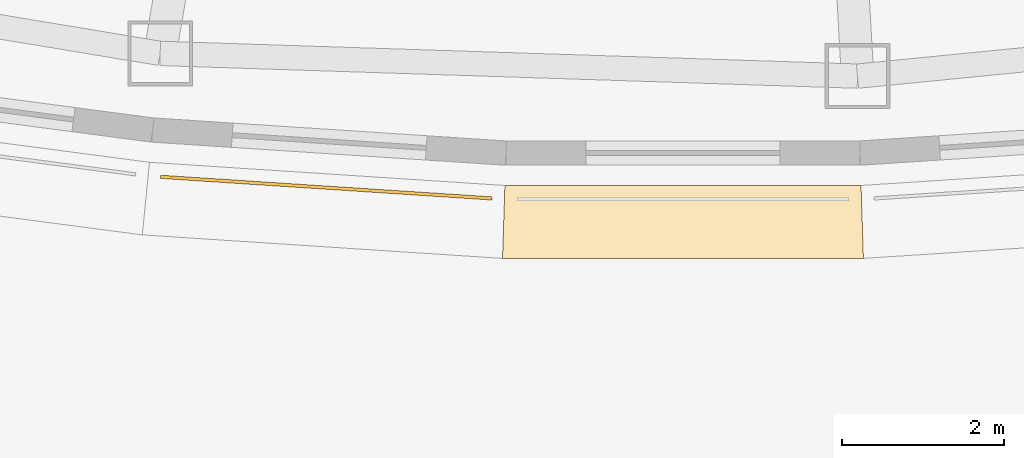
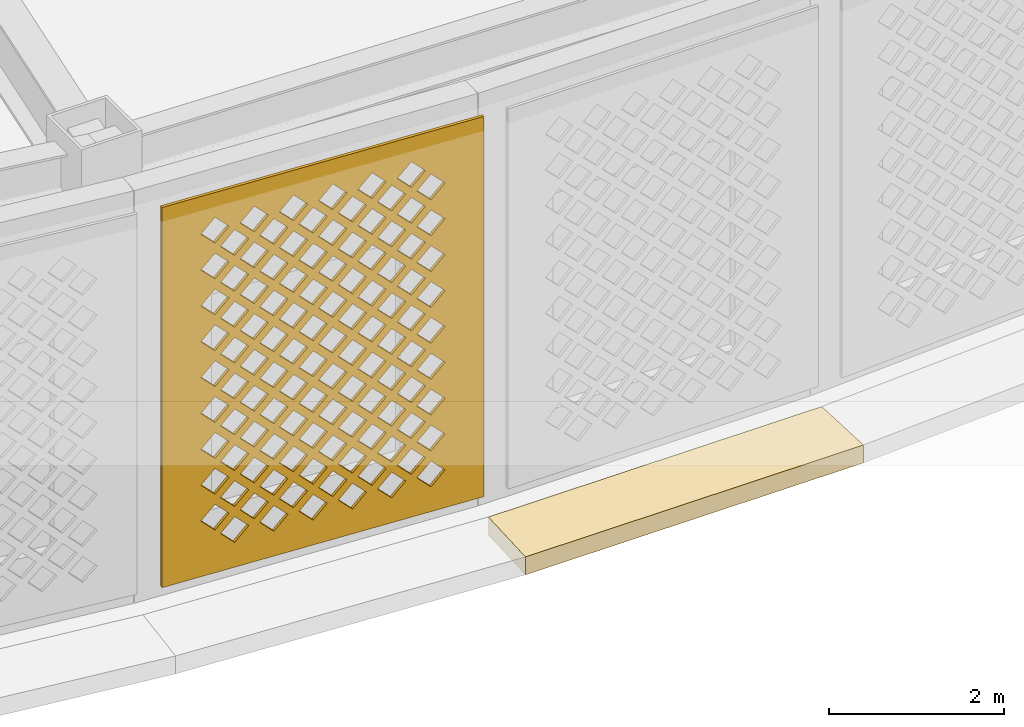
# One storey, part 56 of 74: 2 coverings.
"""IFC4 building model written with IfcOpenShell, lengths in metres."""

import ifcopenshell
import ifcopenshell.guid

model = None  # the IFC model being written
_history = None  # IfcOwnerHistory: only IFC2X3 demands one
_inside = {}  # id of a spatial element -> (the spatial element, [elements in it])
_under = {}  # id of a project, library or spatial element -> (it, [spatial elements below it])
_declared = {}  # id of a project -> (the project, [libraries it declares])
_typed = {}  # id of a type object -> (the type object, [elements of that type])
_made_of = {}  # id of a material, layer set ... -> (it, [elements and type objects made of it])


def new_model(schema):
    """Start an empty IFC model of exactly this schema.

    Asked for "IFC4X3", IfcOpenShell would pick the latest addendum, in which some entities
    have other attributes; the version numbers below select the first issue.
    IFC2X3 requires an IfcOwnerHistory on every rooted entity: one is made here for all.
    """
    global model, _history
    if schema == "IFC4X3":
        model = ifcopenshell.file(schema_version=(4, 3, 0, 0))
    else:
        model = ifcopenshell.file(schema=schema)
    _inside.clear()
    _under.clear()
    _declared.clear()
    _typed.clear()
    _made_of.clear()
    _history = None
    if model.schema == "IFC2X3":
        org = make("IfcOrganization", Name="unknown")
        user = make(
            "IfcPersonAndOrganization",
            ThePerson=make("IfcPerson", FamilyName="unknown"),
            TheOrganization=org,
        )
        app = make(
            "IfcApplication",
            ApplicationDeveloper=org,
            Version="unknown",
            ApplicationFullName="unknown",
            ApplicationIdentifier="unknown",
        )
        _history = make(
            "IfcOwnerHistory",
            OwningUser=user,
            OwningApplication=app,
            ChangeAction="ADDED",
            CreationDate=0,
        )
    return model


def make(cls, **values):
    """One entity of the class cls with the attributes given. An attribute that is None is left unset."""
    return model.create_entity(
        cls, **{name: value for name, value in values.items() if value is not None}
    )


def rooted(cls, **values):
    """An entity with a GlobalId (a new one), such as an element, a storey or a relation."""
    return make(cls, GlobalId=ifcopenshell.guid.new(), OwnerHistory=_history, **values)


def si_unit(unit_type, name, prefix=None):
    """IfcSIUnit, for example si_unit("LENGTHUNIT", "METRE", prefix="MILLI")."""
    return make("IfcSIUnit", UnitType=unit_type, Prefix=prefix, Name=name)


def assignment(units):
    """IfcUnitAssignment: the units of a project."""
    return None if units is None else make("IfcUnitAssignment", Units=units)


def point(xyz):
    """IfcCartesianPoint."""
    return None if xyz is None else make("IfcCartesianPoint", Coordinates=xyz)


def direction(xyz):
    """IfcDirection."""
    return None if xyz is None else make("IfcDirection", DirectionRatios=xyz)


def frame(location, z_axis=None, x_axis=None):
    """IfcAxis2Placement3D, a coordinate frame: its origin and axes. An axis left out is left unset."""
    return make(
        "IfcAxis2Placement3D",
        Location=point(location),
        Axis=direction(z_axis),
        RefDirection=direction(x_axis),
    )


def origin():
    """The frame at (0, 0, 0) with its axes left unset."""
    return frame((0.0, 0.0, 0.0))


def place(relative_to, where):
    """IfcLocalPlacement: puts the frame where relative to a parent placement (None: the world)."""
    return make(
        "IfcLocalPlacement", PlacementRelTo=relative_to, RelativePlacement=where
    )


def context(
    kind, dimensions, precision=None, world=None, true_north=None, identifier=None
):
    """IfcGeometricRepresentationContext, for example the 3D "Model" context."""
    return make(
        "IfcGeometricRepresentationContext",
        ContextIdentifier=identifier,
        ContextType=kind,
        CoordinateSpaceDimension=dimensions,
        Precision=precision,
        WorldCoordinateSystem=world,
        TrueNorth=true_north,
    )


def subcontext(parent, identifier, kind, view, scale=None):
    """IfcGeometricRepresentationSubContext, for example "Body" below "Model"."""
    return make(
        "IfcGeometricRepresentationSubContext",
        ContextIdentifier=identifier,
        ContextType=kind,
        ParentContext=parent,
        TargetScale=scale,
        TargetView=view,
    )


def project(units=None, contexts=None):
    """IfcProject with its units and contexts."""
    return rooted(
        "IfcProject",
        Name="project",
        RepresentationContexts=contexts,
        UnitsInContext=assignment(units),
    )


def spatial(cls, under=None, at=None, **own):
    """A site, building, storey or space (cls), placed at a placement, below another one or the project."""
    s = rooted(cls, ObjectPlacement=at, **own)
    if under is not None:
        _under.setdefault(under.id(), (under, []))[1].append(s)
    return s


def polyline(points):
    """IfcPolyline through the points."""
    return make("IfcPolyline", Points=[point(p) for p in points])


def outline(outer, holes=None, kind="AREA"):
    """IfcArbitraryClosedProfileDef: a profile drawn as a closed curve; with holes, ...WithVoids."""
    if holes is None:
        return make("IfcArbitraryClosedProfileDef", ProfileType=kind, OuterCurve=outer)
    return make(
        "IfcArbitraryProfileDefWithVoids",
        ProfileType=kind,
        OuterCurve=outer,
        InnerCurves=holes,
    )


def extrude(swept, where, along, depth):
    """IfcExtrudedAreaSolid: the profile swept, set in the frame where, extruded along a direction by depth."""
    return make(
        "IfcExtrudedAreaSolid",
        SweptArea=swept,
        Position=where,
        ExtrudedDirection=direction(along),
        Depth=depth,
    )


def shape(context_of_items, identifier, shape_type, items):
    """IfcShapeRepresentation: the items that make up one representation, for example the "Body"."""
    return make(
        "IfcShapeRepresentation",
        ContextOfItems=context_of_items,
        RepresentationIdentifier=identifier,
        RepresentationType=shape_type,
        Items=items,
    )


def material(Name=None, Category=None):
    """IfcMaterial."""
    return make("IfcMaterial", Name=Name, Category=Category)


def layer(
    of_material, thickness, ventilated=None, Name=None, Category=None, Priority=None
):
    """IfcMaterialLayer: one layer of a wall or slab, of a material (None: an air gap)."""
    return make(
        "IfcMaterialLayer",
        Material=of_material,
        LayerThickness=thickness,
        IsVentilated=ventilated,
        Name=Name,
        Category=Category,
        Priority=Priority,
    )


def layer_set(layers, Name=None):
    """IfcMaterialLayerSet."""
    return make("IfcMaterialLayerSet", MaterialLayers=layers, LayerSetName=Name)


def made_of(thing, what):
    """Note that an element or type object is made of a material, layer set ...; save() writes the relation."""
    if what is not None:
        _made_of.setdefault(what.id(), (what, []))[1].append(thing)
    return thing


def type_object(cls, material=None, **own):
    """A type object (cls), such as IfcWallType, which elements share."""
    return made_of(rooted(cls, **own), material)


def element(
    cls,
    number,
    at=None,
    inside=None,
    cuts=None,
    type_object=None,
    material=None,
    context=None,
    identifier="Body",
    shape_type=None,
    held_by="IfcProductDefinitionShape",
    body=None,
    shapes=None,
    **own,
):
    """One element of the class cls, such as IfcWall. Its Tag is "e" and its number.

    at: its placement. inside: the storey or other place that contains it. cuts: it is an
    opening in that element (IfcRelVoidsElement). A single representation is given by context,
    identifier, shape_type and body (its items); several are given by shapes. held_by: the class
    of the entity that holds the representations. save() writes the other relations.
    """
    e = rooted(cls, Tag="e%d" % number, ObjectPlacement=at, **own)
    if body is not None:
        shapes = [shape(context, identifier, shape_type, body)]
    if shapes is not None:
        e.Representation = make(held_by, Representations=shapes)
    if inside is not None:
        _inside.setdefault(inside.id(), (inside, []))[1].append(e)
    if cuts is not None:
        rooted(
            "IfcRelVoidsElement", RelatingBuildingElement=cuts, RelatedOpeningElement=e
        )
    if type_object is not None:
        _typed.setdefault(type_object.id(), (type_object, []))[1].append(e)
    return made_of(e, material)


def aggregate(whole, parts):
    """IfcRelAggregates: a whole, such as a stair, and the parts it consists of."""
    return rooted("IfcRelAggregates", RelatingObject=whole, RelatedObjects=parts)


def save(model, path):
    """Write the relations noted so far, then the file.

    IfcRelAggregates (storeys below a building ...), IfcRelContainedInSpatialStructure (elements
    in a storey), IfcRelDefinesByType, IfcRelAssociatesMaterial and IfcRelDeclares: one each for
    every whole, place, type object, material and project.
    """
    for whole, parts in _under.values():
        aggregate(whole, parts)
    for where, things in _inside.values():
        rooted(
            "IfcRelContainedInSpatialStructure",
            RelatedElements=things,
            RelatingStructure=where,
        )
    for kind, things in _typed.values():
        rooted("IfcRelDefinesByType", RelatedObjects=things, RelatingType=kind)
    for what, things in _made_of.values():
        rooted("IfcRelAssociatesMaterial", RelatedObjects=things, RelatingMaterial=what)
    for by, libraries in _declared.values():
        rooted("IfcRelDeclares", RelatingContext=by, RelatedDefinitions=libraries)
    model.write(path)


model = new_model("IFC4")

# Units and contexts
model_context = context("Model", 3, precision=1e-05, world=origin(), true_north=direction((0.0, 1.0)))
body_context = subcontext(model_context, "Body", "Model", "MODEL_VIEW")
ifc_project = project(units=[si_unit("LENGTHUNIT", "METRE"), si_unit("AREAUNIT", "SQUARE_METRE"), si_unit("VOLUMEUNIT", "CUBIC_METRE"), si_unit("PLANEANGLEUNIT", "RADIAN"), si_unit("MASSUNIT", "GRAM", prefix="KILO")], contexts=[model_context])

# Site, building, storey
site_placement = place(None, origin())
site = spatial("IfcSite", under=ifc_project, at=site_placement, CompositionType="ELEMENT")
building_placement = place(site_placement, origin())
building = spatial("IfcBuilding", under=site, at=building_placement, Name="Noorbagh Ring Tower", CompositionType="ELEMENT")
storey_placement = place(building_placement, frame((0.0, 0.0, 7.5)))
storey = spatial("IfcBuildingStorey", under=building, at=storey_placement, Name="L01", CompositionType="ELEMENT", Elevation=7.5)

# Coverings
ifc_material_1 = material(Name="Red sandstone eave", Category="masonry")
covering_type_1 = type_object("IfcCoveringType", Name="STY-CHHAJJA", PredefinedType="USERDEFINED", material=ifc_material_1)
covering_1_placement = place(storey_placement, frame((0.0, 0.0, -0.25)))
element("IfcCovering", 1, at=covering_1_placement, inside=storey, type_object=covering_type_1, Name="Chhajja eave", ObjectType="CHHAJJA", PredefinedType="USERDEFINED", context=body_context, shape_type="SweptSolid", body=[
    extrude(outline(polyline([(-2.198486328125, -39.964111328125), (2.198486328125, -39.964111328125), (2.227783203125, -40.8642578125), (-2.227783203125, -40.8642578125), (-2.198486328125, -39.964111328125)])), origin(), (0.0, 0.0, 1.0), 0.25),
])
ifc_material_2 = material(Name="Red sandstone jali", Category="masonry")
ifc_layer = layer(ifc_material_2, 0.0400390625)
ifc_layer_set = layer_set([ifc_layer], Name="Red sandstone jali")
covering_type_2 = type_object("IfcCoveringType", Name="STY-JALI", PredefinedType="USERDEFINED", material=ifc_layer_set)
covering_2_placement = place(storey_placement, frame((-6.448974609375, -39.877197265625, 0.449951171875), z_axis=(-0.065130734288, -0.997876739608, 0.0), x_axis=(0.997876739608, -0.065130734288, 0.0)))
element("IfcCovering", 2, at=covering_2_placement, inside=storey, type_object=covering_type_2, Name="Jali screen", ObjectType="SCREEN", PredefinedType="USERDEFINED", context=body_context, shape_type="SweptSolid", body=[
    extrude(outline(polyline([(0.0, 0.0), (4.09716796875, 0.0), (4.09716796875, 5.300048828125), (0.0, 5.300048828125), (0.0, 0.0)]), holes=[polyline([(0.743408203125, 0.52490234375), (0.923583984375, 0.344970703125), (1.103515625, 0.52490234375), (0.923583984375, 0.705078125), (0.743408203125, 0.52490234375)]), polyline([(1.243408203125, 0.52490234375), (1.423583984375, 0.344970703125), (1.603515625, 0.52490234375), (1.423583984375, 0.705078125), (1.243408203125, 0.52490234375)]), polyline([(1.743408203125, 0.52490234375), (1.923583984375, 0.344970703125), (2.103515625, 0.52490234375), (1.923583984375, 0.705078125), (1.743408203125, 0.52490234375)]), polyline([(2.243408203125, 0.52490234375), (2.423583984375, 0.344970703125), (2.603515625, 0.52490234375), (2.423583984375, 0.705078125), (2.243408203125, 0.52490234375)]), polyline([(2.743408203125, 0.52490234375), (2.923583984375, 0.344970703125), (3.103515625, 0.52490234375), (2.923583984375, 0.705078125), (2.743408203125, 0.52490234375)]), polyline([(3.243408203125, 0.52490234375), (3.423583984375, 0.344970703125), (3.603515625, 0.52490234375), (3.423583984375, 0.705078125), (3.243408203125, 0.52490234375)]), polyline([(0.493408203125, 0.77490234375), (0.673583984375, 0.594970703125), (0.853515625, 0.77490234375), (0.673583984375, 0.955078125), (0.493408203125, 0.77490234375)]), polyline([(0.993408203125, 0.77490234375), (1.173583984375, 0.594970703125), (1.353515625, 0.77490234375), (1.173583984375, 0.955078125), (0.993408203125, 0.77490234375)]), polyline([(1.493408203125, 0.77490234375), (1.673583984375, 0.594970703125), (1.853515625, 0.77490234375), (1.673583984375, 0.955078125), (1.493408203125, 0.77490234375)]), polyline([(1.993408203125, 0.77490234375), (2.173583984375, 0.594970703125), (2.353515625, 0.77490234375), (2.173583984375, 0.955078125), (1.993408203125, 0.77490234375)]), polyline([(2.493408203125, 0.77490234375), (2.673583984375, 0.594970703125), (2.853515625, 0.77490234375), (2.673583984375, 0.955078125), (2.493408203125, 0.77490234375)]), polyline([(2.993408203125, 0.77490234375), (3.173583984375, 0.594970703125), (3.353515625, 0.77490234375), (3.173583984375, 0.955078125), (2.993408203125, 0.77490234375)]), polyline([(0.743408203125, 1.02490234375), (0.923583984375, 0.844970703125), (1.103515625, 1.02490234375), (0.923583984375, 1.205078125), (0.743408203125, 1.02490234375)]), polyline([(1.243408203125, 1.02490234375), (1.423583984375, 0.844970703125), (1.603515625, 1.02490234375), (1.423583984375, 1.205078125), (1.243408203125, 1.02490234375)]), polyline([(1.743408203125, 1.02490234375), (1.923583984375, 0.844970703125), (2.103515625, 1.02490234375), (1.923583984375, 1.205078125), (1.743408203125, 1.02490234375)]), polyline([(2.243408203125, 1.02490234375), (2.423583984375, 0.844970703125), (2.603515625, 1.02490234375), (2.423583984375, 1.205078125), (2.243408203125, 1.02490234375)]), polyline([(2.743408203125, 1.02490234375), (2.923583984375, 0.844970703125), (3.103515625, 1.02490234375), (2.923583984375, 1.205078125), (2.743408203125, 1.02490234375)]), polyline([(3.243408203125, 1.02490234375), (3.423583984375, 0.844970703125), (3.603515625, 1.02490234375), (3.423583984375, 1.205078125), (3.243408203125, 1.02490234375)]), polyline([(0.493408203125, 1.27490234375), (0.673583984375, 1.094970703125), (0.853515625, 1.27490234375), (0.673583984375, 1.455078125), (0.493408203125, 1.27490234375)]), polyline([(0.993408203125, 1.27490234375), (1.173583984375, 1.094970703125), (1.353515625, 1.27490234375), (1.173583984375, 1.455078125), (0.993408203125, 1.27490234375)]), polyline([(1.493408203125, 1.27490234375), (1.673583984375, 1.094970703125), (1.853515625, 1.27490234375), (1.673583984375, 1.455078125), (1.493408203125, 1.27490234375)]), polyline([(1.993408203125, 1.27490234375), (2.173583984375, 1.094970703125), (2.353515625, 1.27490234375), (2.173583984375, 1.455078125), (1.993408203125, 1.27490234375)]), polyline([(2.493408203125, 1.27490234375), (2.673583984375, 1.094970703125), (2.853515625, 1.27490234375), (2.673583984375, 1.455078125), (2.493408203125, 1.27490234375)]), polyline([(2.993408203125, 1.27490234375), (3.173583984375, 1.094970703125), (3.353515625, 1.27490234375), (3.173583984375, 1.455078125), (2.993408203125, 1.27490234375)]), polyline([(0.743408203125, 1.52490234375), (0.923583984375, 1.344970703125), (1.103515625, 1.52490234375), (0.923583984375, 1.705078125), (0.743408203125, 1.52490234375)]), polyline([(1.243408203125, 1.52490234375), (1.423583984375, 1.344970703125), (1.603515625, 1.52490234375), (1.423583984375, 1.705078125), (1.243408203125, 1.52490234375)]), polyline([(1.743408203125, 1.52490234375), (1.923583984375, 1.344970703125), (2.103515625, 1.52490234375), (1.923583984375, 1.705078125), (1.743408203125, 1.52490234375)]), polyline([(2.243408203125, 1.52490234375), (2.423583984375, 1.344970703125), (2.603515625, 1.52490234375), (2.423583984375, 1.705078125), (2.243408203125, 1.52490234375)]), polyline([(2.743408203125, 1.52490234375), (2.923583984375, 1.344970703125), (3.103515625, 1.52490234375), (2.923583984375, 1.705078125), (2.743408203125, 1.52490234375)]), polyline([(3.243408203125, 1.52490234375), (3.423583984375, 1.344970703125), (3.603515625, 1.52490234375), (3.423583984375, 1.705078125), (3.243408203125, 1.52490234375)]), polyline([(0.493408203125, 1.77490234375), (0.673583984375, 1.594970703125), (0.853515625, 1.77490234375), (0.673583984375, 1.955078125), (0.493408203125, 1.77490234375)]), polyline([(0.993408203125, 1.77490234375), (1.173583984375, 1.594970703125), (1.353515625, 1.77490234375), (1.173583984375, 1.955078125), (0.993408203125, 1.77490234375)]), polyline([(1.493408203125, 1.77490234375), (1.673583984375, 1.594970703125), (1.853515625, 1.77490234375), (1.673583984375, 1.955078125), (1.493408203125, 1.77490234375)]), polyline([(1.993408203125, 1.77490234375), (2.173583984375, 1.594970703125), (2.353515625, 1.77490234375), (2.173583984375, 1.955078125), (1.993408203125, 1.77490234375)]), polyline([(2.493408203125, 1.77490234375), (2.673583984375, 1.594970703125), (2.853515625, 1.77490234375), (2.673583984375, 1.955078125), (2.493408203125, 1.77490234375)]), polyline([(2.993408203125, 1.77490234375), (3.173583984375, 1.594970703125), (3.353515625, 1.77490234375), (3.173583984375, 1.955078125), (2.993408203125, 1.77490234375)]), polyline([(0.743408203125, 2.02490234375), (0.923583984375, 1.844970703125), (1.103515625, 2.02490234375), (0.923583984375, 2.205078125), (0.743408203125, 2.02490234375)]), polyline([(1.243408203125, 2.02490234375), (1.423583984375, 1.844970703125), (1.603515625, 2.02490234375), (1.423583984375, 2.205078125), (1.243408203125, 2.02490234375)]), polyline([(1.743408203125, 2.02490234375), (1.923583984375, 1.844970703125), (2.103515625, 2.02490234375), (1.923583984375, 2.205078125), (1.743408203125, 2.02490234375)]), polyline([(2.243408203125, 2.02490234375), (2.423583984375, 1.844970703125), (2.603515625, 2.02490234375), (2.423583984375, 2.205078125), (2.243408203125, 2.02490234375)]), polyline([(2.743408203125, 2.02490234375), (2.923583984375, 1.844970703125), (3.103515625, 2.02490234375), (2.923583984375, 2.205078125), (2.743408203125, 2.02490234375)]), polyline([(3.243408203125, 2.02490234375), (3.423583984375, 1.844970703125), (3.603515625, 2.02490234375), (3.423583984375, 2.205078125), (3.243408203125, 2.02490234375)]), polyline([(0.493408203125, 2.27490234375), (0.673583984375, 2.094970703125), (0.853515625, 2.27490234375), (0.673583984375, 2.455078125), (0.493408203125, 2.27490234375)]), polyline([(0.993408203125, 2.27490234375), (1.173583984375, 2.094970703125), (1.353515625, 2.27490234375), (1.173583984375, 2.455078125), (0.993408203125, 2.27490234375)]), polyline([(1.493408203125, 2.27490234375), (1.673583984375, 2.094970703125), (1.853515625, 2.27490234375), (1.673583984375, 2.455078125), (1.493408203125, 2.27490234375)]), polyline([(1.993408203125, 2.27490234375), (2.173583984375, 2.094970703125), (2.353515625, 2.27490234375), (2.173583984375, 2.455078125), (1.993408203125, 2.27490234375)]), polyline([(2.493408203125, 2.27490234375), (2.673583984375, 2.094970703125), (2.853515625, 2.27490234375), (2.673583984375, 2.455078125), (2.493408203125, 2.27490234375)]), polyline([(2.993408203125, 2.27490234375), (3.173583984375, 2.094970703125), (3.353515625, 2.27490234375), (3.173583984375, 2.455078125), (2.993408203125, 2.27490234375)]), polyline([(0.743408203125, 2.52490234375), (0.923583984375, 2.344970703125), (1.103515625, 2.52490234375), (0.923583984375, 2.705078125), (0.743408203125, 2.52490234375)]), polyline([(1.243408203125, 2.52490234375), (1.423583984375, 2.344970703125), (1.603515625, 2.52490234375), (1.423583984375, 2.705078125), (1.243408203125, 2.52490234375)]), polyline([(1.743408203125, 2.52490234375), (1.923583984375, 2.344970703125), (2.103515625, 2.52490234375), (1.923583984375, 2.705078125), (1.743408203125, 2.52490234375)]), polyline([(2.243408203125, 2.52490234375), (2.423583984375, 2.344970703125), (2.603515625, 2.52490234375), (2.423583984375, 2.705078125), (2.243408203125, 2.52490234375)]), polyline([(2.743408203125, 2.52490234375), (2.923583984375, 2.344970703125), (3.103515625, 2.52490234375), (2.923583984375, 2.705078125), (2.743408203125, 2.52490234375)]), polyline([(3.243408203125, 2.52490234375), (3.423583984375, 2.344970703125), (3.603515625, 2.52490234375), (3.423583984375, 2.705078125), (3.243408203125, 2.52490234375)]), polyline([(0.493408203125, 2.77490234375), (0.673583984375, 2.594970703125), (0.853515625, 2.77490234375), (0.673583984375, 2.955078125), (0.493408203125, 2.77490234375)]), polyline([(0.993408203125, 2.77490234375), (1.173583984375, 2.594970703125), (1.353515625, 2.77490234375), (1.173583984375, 2.955078125), (0.993408203125, 2.77490234375)]), polyline([(1.493408203125, 2.77490234375), (1.673583984375, 2.594970703125), (1.853515625, 2.77490234375), (1.673583984375, 2.955078125), (1.493408203125, 2.77490234375)]), polyline([(1.993408203125, 2.77490234375), (2.173583984375, 2.594970703125), (2.353515625, 2.77490234375), (2.173583984375, 2.955078125), (1.993408203125, 2.77490234375)]), polyline([(2.493408203125, 2.77490234375), (2.673583984375, 2.594970703125), (2.853515625, 2.77490234375), (2.673583984375, 2.955078125), (2.493408203125, 2.77490234375)]), polyline([(2.993408203125, 2.77490234375), (3.173583984375, 2.594970703125), (3.353515625, 2.77490234375), (3.173583984375, 2.955078125), (2.993408203125, 2.77490234375)]), polyline([(0.743408203125, 3.02490234375), (0.923583984375, 2.844970703125), (1.103515625, 3.02490234375), (0.923583984375, 3.205078125), (0.743408203125, 3.02490234375)]), polyline([(1.243408203125, 3.02490234375), (1.423583984375, 2.844970703125), (1.603515625, 3.02490234375), (1.423583984375, 3.205078125), (1.243408203125, 3.02490234375)]), polyline([(1.743408203125, 3.02490234375), (1.923583984375, 2.844970703125), (2.103515625, 3.02490234375), (1.923583984375, 3.205078125), (1.743408203125, 3.02490234375)]), polyline([(2.243408203125, 3.02490234375), (2.423583984375, 2.844970703125), (2.603515625, 3.02490234375), (2.423583984375, 3.205078125), (2.243408203125, 3.02490234375)]), polyline([(2.743408203125, 3.02490234375), (2.923583984375, 2.844970703125), (3.103515625, 3.02490234375), (2.923583984375, 3.205078125), (2.743408203125, 3.02490234375)]), polyline([(3.243408203125, 3.02490234375), (3.423583984375, 2.844970703125), (3.603515625, 3.02490234375), (3.423583984375, 3.205078125), (3.243408203125, 3.02490234375)]), polyline([(0.493408203125, 3.27490234375), (0.673583984375, 3.094970703125), (0.853515625, 3.27490234375), (0.673583984375, 3.455078125), (0.493408203125, 3.27490234375)]), polyline([(0.993408203125, 3.27490234375), (1.173583984375, 3.094970703125), (1.353515625, 3.27490234375), (1.173583984375, 3.455078125), (0.993408203125, 3.27490234375)]), polyline([(1.493408203125, 3.27490234375), (1.673583984375, 3.094970703125), (1.853515625, 3.27490234375), (1.673583984375, 3.455078125), (1.493408203125, 3.27490234375)]), polyline([(1.993408203125, 3.27490234375), (2.173583984375, 3.094970703125), (2.353515625, 3.27490234375), (2.173583984375, 3.455078125), (1.993408203125, 3.27490234375)]), polyline([(2.493408203125, 3.27490234375), (2.673583984375, 3.094970703125), (2.853515625, 3.27490234375), (2.673583984375, 3.455078125), (2.493408203125, 3.27490234375)]), polyline([(2.993408203125, 3.27490234375), (3.173583984375, 3.094970703125), (3.353515625, 3.27490234375), (3.173583984375, 3.455078125), (2.993408203125, 3.27490234375)]), polyline([(0.743408203125, 3.52490234375), (0.923583984375, 3.344970703125), (1.103515625, 3.52490234375), (0.923583984375, 3.705078125), (0.743408203125, 3.52490234375)]), polyline([(1.243408203125, 3.52490234375), (1.423583984375, 3.344970703125), (1.603515625, 3.52490234375), (1.423583984375, 3.705078125), (1.243408203125, 3.52490234375)]), polyline([(1.743408203125, 3.52490234375), (1.923583984375, 3.344970703125), (2.103515625, 3.52490234375), (1.923583984375, 3.705078125), (1.743408203125, 3.52490234375)]), polyline([(2.243408203125, 3.52490234375), (2.423583984375, 3.344970703125), (2.603515625, 3.52490234375), (2.423583984375, 3.705078125), (2.243408203125, 3.52490234375)]), polyline([(2.743408203125, 3.52490234375), (2.923583984375, 3.344970703125), (3.103515625, 3.52490234375), (2.923583984375, 3.705078125), (2.743408203125, 3.52490234375)]), polyline([(3.243408203125, 3.52490234375), (3.423583984375, 3.344970703125), (3.603515625, 3.52490234375), (3.423583984375, 3.705078125), (3.243408203125, 3.52490234375)]), polyline([(0.493408203125, 3.77490234375), (0.673583984375, 3.594970703125), (0.853515625, 3.77490234375), (0.673583984375, 3.955078125), (0.493408203125, 3.77490234375)]), polyline([(0.993408203125, 3.77490234375), (1.173583984375, 3.594970703125), (1.353515625, 3.77490234375), (1.173583984375, 3.955078125), (0.993408203125, 3.77490234375)]), polyline([(1.493408203125, 3.77490234375), (1.673583984375, 3.594970703125), (1.853515625, 3.77490234375), (1.673583984375, 3.955078125), (1.493408203125, 3.77490234375)]), polyline([(1.993408203125, 3.77490234375), (2.173583984375, 3.594970703125), (2.353515625, 3.77490234375), (2.173583984375, 3.955078125), (1.993408203125, 3.77490234375)]), polyline([(2.493408203125, 3.77490234375), (2.673583984375, 3.594970703125), (2.853515625, 3.77490234375), (2.673583984375, 3.955078125), (2.493408203125, 3.77490234375)]), polyline([(2.993408203125, 3.77490234375), (3.173583984375, 3.594970703125), (3.353515625, 3.77490234375), (3.173583984375, 3.955078125), (2.993408203125, 3.77490234375)]), polyline([(0.743408203125, 4.02490234375), (0.923583984375, 3.844970703125), (1.103515625, 4.02490234375), (0.923583984375, 4.205078125), (0.743408203125, 4.02490234375)]), polyline([(1.243408203125, 4.02490234375), (1.423583984375, 3.844970703125), (1.603515625, 4.02490234375), (1.423583984375, 4.205078125), (1.243408203125, 4.02490234375)]), polyline([(1.743408203125, 4.02490234375), (1.923583984375, 3.844970703125), (2.103515625, 4.02490234375), (1.923583984375, 4.205078125), (1.743408203125, 4.02490234375)]), polyline([(2.243408203125, 4.02490234375), (2.423583984375, 3.844970703125), (2.603515625, 4.02490234375), (2.423583984375, 4.205078125), (2.243408203125, 4.02490234375)]), polyline([(2.743408203125, 4.02490234375), (2.923583984375, 3.844970703125), (3.103515625, 4.02490234375), (2.923583984375, 4.205078125), (2.743408203125, 4.02490234375)]), polyline([(3.243408203125, 4.02490234375), (3.423583984375, 3.844970703125), (3.603515625, 4.02490234375), (3.423583984375, 4.205078125), (3.243408203125, 4.02490234375)]), polyline([(0.493408203125, 4.27490234375), (0.673583984375, 4.094970703125), (0.853515625, 4.27490234375), (0.673583984375, 4.455078125), (0.493408203125, 4.27490234375)]), polyline([(0.993408203125, 4.27490234375), (1.173583984375, 4.094970703125), (1.353515625, 4.27490234375), (1.173583984375, 4.455078125), (0.993408203125, 4.27490234375)]), polyline([(1.493408203125, 4.27490234375), (1.673583984375, 4.094970703125), (1.853515625, 4.27490234375), (1.673583984375, 4.455078125), (1.493408203125, 4.27490234375)]), polyline([(1.993408203125, 4.27490234375), (2.173583984375, 4.094970703125), (2.353515625, 4.27490234375), (2.173583984375, 4.455078125), (1.993408203125, 4.27490234375)]), polyline([(2.493408203125, 4.27490234375), (2.673583984375, 4.094970703125), (2.853515625, 4.27490234375), (2.673583984375, 4.455078125), (2.493408203125, 4.27490234375)]), polyline([(2.993408203125, 4.27490234375), (3.173583984375, 4.094970703125), (3.353515625, 4.27490234375), (3.173583984375, 4.455078125), (2.993408203125, 4.27490234375)]), polyline([(0.743408203125, 4.52490234375), (0.923583984375, 4.344970703125), (1.103515625, 4.52490234375), (0.923583984375, 4.705078125), (0.743408203125, 4.52490234375)]), polyline([(1.243408203125, 4.52490234375), (1.423583984375, 4.344970703125), (1.603515625, 4.52490234375), (1.423583984375, 4.705078125), (1.243408203125, 4.52490234375)]), polyline([(1.743408203125, 4.52490234375), (1.923583984375, 4.344970703125), (2.103515625, 4.52490234375), (1.923583984375, 4.705078125), (1.743408203125, 4.52490234375)]), polyline([(2.243408203125, 4.52490234375), (2.423583984375, 4.344970703125), (2.603515625, 4.52490234375), (2.423583984375, 4.705078125), (2.243408203125, 4.52490234375)]), polyline([(2.743408203125, 4.52490234375), (2.923583984375, 4.344970703125), (3.103515625, 4.52490234375), (2.923583984375, 4.705078125), (2.743408203125, 4.52490234375)]), polyline([(3.243408203125, 4.52490234375), (3.423583984375, 4.344970703125), (3.603515625, 4.52490234375), (3.423583984375, 4.705078125), (3.243408203125, 4.52490234375)]), polyline([(0.493408203125, 4.77490234375), (0.673583984375, 4.594970703125), (0.853515625, 4.77490234375), (0.673583984375, 4.955078125), (0.493408203125, 4.77490234375)]), polyline([(0.993408203125, 4.77490234375), (1.173583984375, 4.594970703125), (1.353515625, 4.77490234375), (1.173583984375, 4.955078125), (0.993408203125, 4.77490234375)]), polyline([(1.493408203125, 4.77490234375), (1.673583984375, 4.594970703125), (1.853515625, 4.77490234375), (1.673583984375, 4.955078125), (1.493408203125, 4.77490234375)]), polyline([(1.993408203125, 4.77490234375), (2.173583984375, 4.594970703125), (2.353515625, 4.77490234375), (2.173583984375, 4.955078125), (1.993408203125, 4.77490234375)]), polyline([(2.493408203125, 4.77490234375), (2.673583984375, 4.594970703125), (2.853515625, 4.77490234375), (2.673583984375, 4.955078125), (2.493408203125, 4.77490234375)]), polyline([(2.993408203125, 4.77490234375), (3.173583984375, 4.594970703125), (3.353515625, 4.77490234375), (3.173583984375, 4.955078125), (2.993408203125, 4.77490234375)])]), origin(), (0.0, 0.0, -1.0), 0.0400390625),
])

save(model, "model.ifc")
